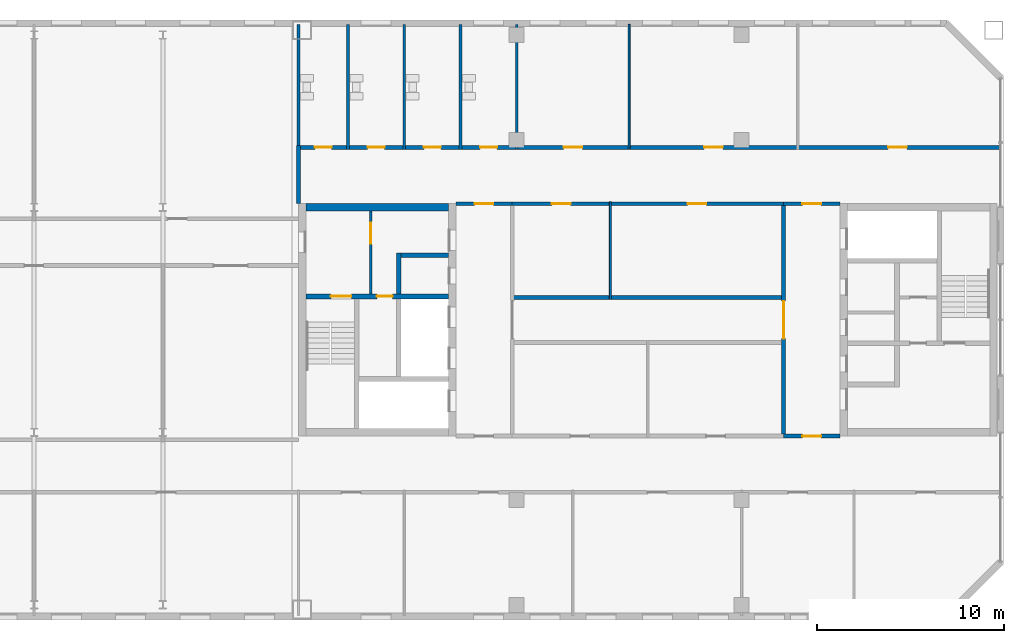
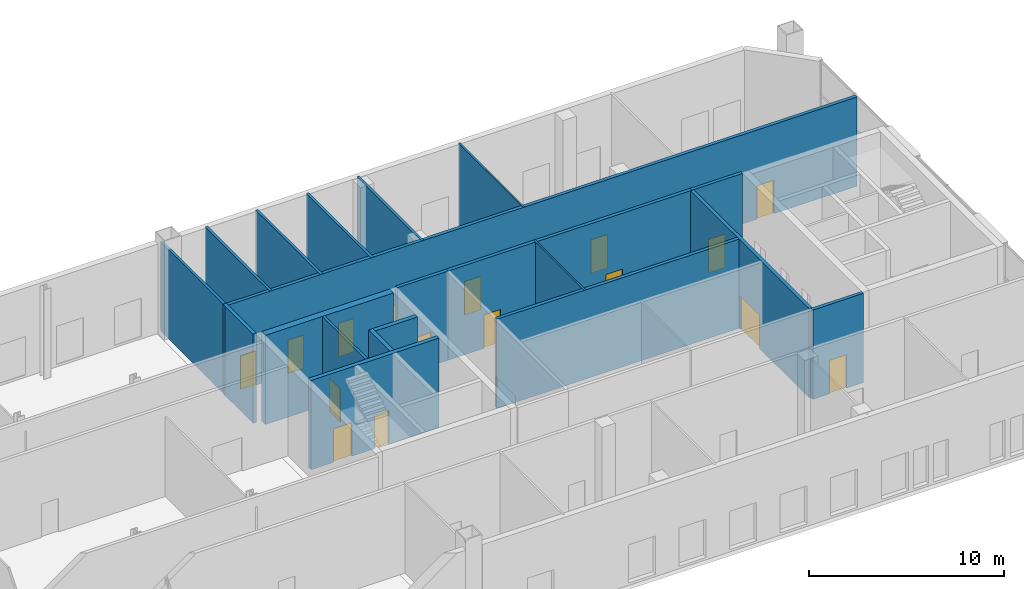
# One storey, part 15 of 20: 20 walls, 16 doors, 16 openings.
"""IFC4 building model written with IfcOpenShell, lengths in metres."""

from ifc_helpers import new_model, si_unit, direction, frame, frame_2d, origin, place, context, subcontext, project, spatial, rectangle, extrude, material, layer, layer_set, type_object, element, fill, save


model = new_model("IFC4")

# Units and contexts
model_context = context("Model", 3, precision=1e-05, world=origin(), true_north=direction((0.0, 1.0)))
body_context = subcontext(model_context, "Body", "Model", "MODEL_VIEW")
ifc_project = project(units=[si_unit("LENGTHUNIT", "METRE"), si_unit("AREAUNIT", "SQUARE_METRE"), si_unit("VOLUMEUNIT", "CUBIC_METRE"), si_unit("PLANEANGLEUNIT", "RADIAN"), si_unit("MASSUNIT", "GRAM", prefix="KILO")], contexts=[model_context])

# Site, building, storey
site_placement = place(None, origin())
site = spatial("IfcSite", under=ifc_project, at=site_placement, CompositionType="ELEMENT")
building_placement = place(site_placement, origin())
building = spatial("IfcBuilding", under=site, at=building_placement, Name="Tuart Gate Housing", CompositionType="ELEMENT")
storey_placement = place(building_placement, frame((0.0, 0.0, 215.199951171875)))
storey = spatial("IfcBuildingStorey", under=building, at=storey_placement, Name="L61", CompositionType="ELEMENT", Elevation=215.199951171875)

# Walls
ifc_material_1 = material(Name="Gypsum board on steel studs", Category="steel")
ifc_layer_1 = layer(ifc_material_1, 0.14990234375)
ifc_layer_set_1 = layer_set([ifc_layer_1], Name="Bathroom wall 150")
wall_type_1 = type_object("IfcWallType", Name="Bathroom wall 150", PredefinedType="PLUMBINGWALL", material=ifc_layer_set_1)
for number, where, z_axis, x_axis, name in (
    (1, (131.360107421875, 79.10009765625, 0.0), (0.0, 0.0, 1.0), (0.0, 1.0, 0.0), "Bathroom wall 150"),
    (2, (134.0, 79.10009765625, 0.0), (0.0, 0.0, 1.0), (0.0, 1.0, 0.0), "Bathroom wall 150"),
    (3, (137.0, 79.10009765625, 0.0), (0.0, 0.0, 1.0), (0.0, 1.0, 0.0), "Bathroom wall 150"),
    (4, (140.0, 79.10009765625, 0.0), (0.0, 0.0, 1.0), (0.0, 1.0, 0.0), "Bathroom wall 150"),
    (5, (143.0, 79.10009765625, 0.0), (0.0, 0.0, 1.0), (0.0, 1.0, 0.0), "Bathroom wall 150"),
):
    element("IfcWall", number, at=place(storey_placement, frame(where, z_axis=z_axis, x_axis=x_axis)), inside=storey, type_object=wall_type_1, Name=name, PredefinedType="PLUMBINGWALL", context=body_context, shape_type="SweptSolid", body=[
        extrude(rectangle(XDim=6.659912109375, YDim=0.14990234375, at=frame_2d((3.330078125, 0.0))), origin(), (0.0, 0.0, 1.0), 5.60009765625),
    ])

# Wall, opening, door
ifc_material_2 = material(Name="Plasterboard partition")
ifc_layer_2 = layer(ifc_material_2, 0.14990234375)
ifc_layer_set_2 = layer_set([ifc_layer_2], Name="Core partition 150")
wall_type_2 = type_object("IfcWallType", Name="Core partition 150", PredefinedType="PARTITIONING", material=ifc_layer_set_2)
wall_1_placement = place(storey_placement, frame((135.2099609375, 71.375, 0.0), z_axis=(0.0, 0.0, 1.0), x_axis=(0.0, 1.0, 0.0)))
wall_1 = element("IfcWall", 6, at=wall_1_placement, inside=storey, type_object=wall_type_2, Name="Core partition BG.6", PredefinedType="PARTITIONING", context=body_context, shape_type="SweptSolid", body=[
    extrude(rectangle(XDim=4.425048828125, YDim=0.14990234375, at=frame_2d((2.21240234375, 0.0))), origin(), (0.0, 0.0, 1.0), 5.60009765625),
])
opening_1_placement = place(wall_1_placement, frame((2.699951171875, 0.0, 0.0)))
opening_1 = element("IfcOpeningElement", 7, at=opening_1_placement, cuts=wall_1, Name="Opening D3068", PredefinedType="OPENING", context=body_context, shape_type="SweptSolid", body=[
    extrude(rectangle(XDim=1.10009765625, YDim=2.10009765625, at=frame_2d((0.550048828125, 1.050048828125))), frame((0.0, 0.0849609375, 0.0), z_axis=(0.0, -1.0, 0.0), x_axis=(1.0, 0.0, 0.0)), (0.0, 0.0, 1.0), 0.169921875),
])
ifc_material_3 = material(Name="Steel fire door", Category="steel")
door_type_1 = type_object("IfcDoorType", Name="Lobby door 1100 x 2100 RH", OperationType="SINGLE_SWING_RIGHT", PredefinedType="DOOR", material=ifc_material_3)
door_1_placement = place(opening_1_placement, origin())
door_1 = element("IfcDoor", 8, at=door_1_placement, inside=storey, type_object=door_type_1, Name="Smoke lobby door BG.KD", OperationType="SINGLE_SWING_RIGHT", OverallHeight=2.10009765625, OverallWidth=1.10009765625, PredefinedType="DOOR", context=body_context, shape_type="SweptSolid", body=[
    extrude(rectangle(XDim=1.10009765625, YDim=2.10009765625, at=frame_2d((0.550048828125, 1.050048828125))), frame((0.0, 0.02490234375, 0.0), z_axis=(0.0, -1.0, 0.0), x_axis=(1.0, 0.0, 0.0)), (0.0, 0.0, 1.0), 0.050048828125),
])
fill(opening_1, door_1)

# Wall, openings, doors
ifc_material_4 = material(Name="Concrete C40", Category="concrete")
ifc_layer_3 = layer(ifc_material_4, 0.25)
ifc_layer_set_3 = layer_set([ifc_layer_3], Name="Core wall 250 C40")
wall_type_3 = type_object("IfcWallType", Name="Core wall 250 C40", PredefinedType="SHEAR", material=ifc_layer_set_3)
wall_2_placement = place(storey_placement, frame((139.360107421875, 71.25, 0.0), z_axis=(0.0, 0.0, 1.0), x_axis=(-1.0, 0.0, 0.0)))
wall_2 = element("IfcWall", 9, at=wall_2_placement, inside=storey, type_object=wall_type_3, Name="Core wall BG.2", PredefinedType="SHEAR", context=body_context, shape_type="SweptSolid", body=[
    extrude(rectangle(XDim=7.60009765625, YDim=0.25, at=frame_2d((3.800048828125, 0.0))), origin(), (0.0, 0.0, 1.0), 5.60009765625),
])
opening_2_placement = place(wall_2_placement, frame((5.175048828125, 0.0, 0.0)))
opening_2 = element("IfcOpeningElement", 10, at=opening_2_placement, cuts=wall_2, Name="Opening D3070", PredefinedType="OPENING", context=body_context, shape_type="SweptSolid", body=[
    extrude(rectangle(XDim=1.10009765625, YDim=2.10009765625, at=frame_2d((0.550048828125, 1.050048828125))), frame((0.0, 0.135009765625, 0.0), z_axis=(0.0, -1.0, 0.0), x_axis=(1.0, 0.0, 0.0)), (0.0, 0.0, 1.0), 0.27001953125),
])
opening_3_placement = place(wall_2_placement, frame((2.97509765625, 0.0, 0.0)))
opening_3 = element("IfcOpeningElement", 11, at=opening_3_placement, cuts=wall_2, Name="Opening D3069", PredefinedType="OPENING", context=body_context, shape_type="SweptSolid", body=[
    extrude(rectangle(XDim=0.85009765625, YDim=2.10009765625, at=frame_2d((0.425048828125, 1.050048828125))), frame((0.0, 0.135009765625, 0.0), z_axis=(0.0, -1.0, 0.0), x_axis=(1.0, 0.0, 0.0)), (0.0, 0.0, 1.0), 0.27001953125),
])
ifc_material_5 = material(Name="Steel fire door", Category="steel")
door_type_2 = type_object("IfcDoorType", Name="Riser door 850 x 2100", OperationType="SINGLE_SWING_LEFT", PredefinedType="DOOR", material=ifc_material_5)
door_2_placement = place(opening_3_placement, origin())
door_2 = element("IfcDoor", 12, at=door_2_placement, inside=storey, type_object=door_type_2, Name="Service room door BG.W1", OperationType="SINGLE_SWING_LEFT", OverallHeight=2.10009765625, OverallWidth=0.85009765625, PredefinedType="DOOR", context=body_context, shape_type="SweptSolid", body=[
    extrude(rectangle(XDim=0.85009765625, YDim=2.10009765625, at=frame_2d((0.425048828125, 1.050048828125))), frame((0.0, 0.02490234375, 0.0), z_axis=(0.0, -1.0, 0.0), x_axis=(1.0, 0.0, 0.0)), (0.0, 0.0, 1.0), 0.050048828125),
])
fill(opening_3, door_2)
ifc_material_6 = material(Name="Steel fire door", Category="steel")
door_type_3 = type_object("IfcDoorType", Name="Stair door 1100 x 2100", OperationType="SINGLE_SWING_LEFT", PredefinedType="DOOR", material=ifc_material_6)
door_3_placement = place(opening_2_placement, origin())
door_3 = element("IfcDoor", 13, at=door_3_placement, inside=storey, type_object=door_type_3, Name="Stair door BG.SD", OperationType="SINGLE_SWING_LEFT", OverallHeight=2.10009765625, OverallWidth=1.10009765625, PredefinedType="DOOR", context=body_context, shape_type="SweptSolid", body=[
    extrude(rectangle(XDim=1.10009765625, YDim=2.10009765625, at=frame_2d((0.550048828125, 1.050048828125))), frame((0.0, 0.02490234375, 0.0), z_axis=(0.0, -1.0, 0.0), x_axis=(1.0, 0.0, 0.0)), (0.0, 0.0, 1.0), 0.050048828125),
])
fill(opening_2, door_3)

# Walls
wall_3_placement = place(storey_placement, frame((139.360107421875, 73.449951171875, 0.0), z_axis=(0.0, 0.0, 1.0), x_axis=(-1.0, 0.0, 0.0)))
element("IfcWall", 14, at=wall_3_placement, inside=storey, type_object=wall_type_3, Name="Core wall BG.3", PredefinedType="SHEAR", context=body_context, shape_type="SweptSolid", body=[
    extrude(rectangle(XDim=2.525146484375, YDim=0.25, at=frame_2d((1.2626953125, 0.0))), origin(), (0.0, 0.0, 1.0), 5.60009765625),
])
wall_4_placement = place(storey_placement, frame((136.7099609375, 71.375, 0.0), z_axis=(0.0, 0.0, 1.0), x_axis=(0.0, 1.0, 0.0)))
element("IfcWall", 15, at=wall_4_placement, inside=storey, type_object=wall_type_3, Name="Core wall BG.5", PredefinedType="SHEAR", context=body_context, shape_type="SweptSolid", body=[
    extrude(rectangle(XDim=2.199951171875, YDim=0.25, at=frame_2d((1.10009765625, 0.0))), origin(), (0.0, 0.0, 1.0), 5.60009765625),
])
ifc_material_7 = material(Name="Concrete C40", Category="concrete")
ifc_layer_4 = layer(ifc_material_7, 0.39990234375)
ifc_layer_set_4 = layer_set([ifc_layer_4], Name="Core wall 400 C40")
wall_type_4 = type_object("IfcWallType", Name="Core wall 400 C40", PredefinedType="SHEAR", material=ifc_layer_set_4)
wall_5_placement = place(storey_placement, frame((139.360107421875, 76.0, 0.0), z_axis=(0.0, 0.0, 1.0), x_axis=(-1.0, 0.0, 0.0)))
element("IfcWall", 16, at=wall_5_placement, inside=storey, type_object=wall_type_4, Name="Core wall BG north", PredefinedType="SHEAR", context=body_context, shape_type="SweptSolid", body=[
    extrude(rectangle(XDim=7.60009765625, YDim=0.39990234375, at=frame_2d((3.800048828125, 0.0))), origin(), (0.0, 0.0, 1.0), 5.60009765625),
])
ifc_material_8 = material(Name="Concrete masonry 15 MPa", Category="masonry")
ifc_layer_5 = layer(ifc_material_8, 0.199951171875)
ifc_layer_set_5 = layer_set([ifc_layer_5], Name="Corridor wall masonry 200")
wall_type_5 = type_object("IfcWallType", Name="Corridor wall masonry 200", PredefinedType="PARTITIONING", material=ifc_layer_set_5)
wall_6_placement = place(storey_placement, frame((142.760009765625, 71.199951171875, 0.0), z_axis=(0.0, 0.0, 1.0), x_axis=(1.0, 0.0, 0.0)))
element("IfcWall", 17, at=wall_6_placement, inside=storey, type_object=wall_type_5, Name="Corridor wall masonry 200", PredefinedType="PARTITIONING", context=body_context, shape_type="SweptSolid", body=[
    extrude(rectangle(XDim=14.47998046875, YDim=0.199951171875, at=frame_2d((7.239990234375, 0.0))), origin(), (0.0, 0.0, 1.0), 5.60009765625),
])

# Wall, openings, doors
wall_7_placement = place(storey_placement, frame((142.760009765625, 76.199951171875, 0.0), z_axis=(0.0, 0.0, 1.0), x_axis=(1.0, 0.0, 0.0)))
wall_7 = element("IfcWall", 18, at=wall_7_placement, inside=storey, type_object=wall_type_5, Name="Corridor wall masonry 200", PredefinedType="PARTITIONING", context=body_context, shape_type="SweptSolid", body=[
    extrude(rectangle(XDim=14.47998046875, YDim=0.199951171875, at=frame_2d((7.239990234375, 0.0))), origin(), (0.0, 0.0, 1.0), 5.60009765625),
])
opening_4_placement = place(wall_7_placement, frame((2.1201171875, 0.0, 0.0)))
opening_4 = element("IfcOpeningElement", 19, at=opening_4_placement, cuts=wall_7, Name="Opening D3065", PredefinedType="OPENING", context=body_context, shape_type="SweptSolid", body=[
    extrude(rectangle(XDim=1.0, YDim=2.10009765625, at=frame_2d((0.5, 1.050048828125))), frame((0.0, 0.10986328125, 0.0), z_axis=(0.0, -1.0, 0.0), x_axis=(1.0, 0.0, 0.0)), (0.0, 0.0, 1.0), 0.219970703125),
])
opening_5_placement = place(wall_7_placement, frame((9.360107421875, 0.0, 0.0)))
opening_5 = element("IfcOpeningElement", 20, at=opening_5_placement, cuts=wall_7, Name="Opening D3066", PredefinedType="OPENING", context=body_context, shape_type="SweptSolid", body=[
    extrude(rectangle(XDim=1.0, YDim=2.10009765625, at=frame_2d((0.5, 1.050048828125))), frame((0.0, 0.10986328125, 0.0), z_axis=(0.0, -1.0, 0.0), x_axis=(1.0, 0.0, 0.0)), (0.0, 0.0, 1.0), 0.219970703125),
])
ifc_material_9 = material(Name="Timber door leaf in steel frame", Category="steel")
door_type_4 = type_object("IfcDoorType", Name="Fire door 1000 RH", OperationType="SINGLE_SWING_RIGHT", PredefinedType="DOOR", material=ifc_material_9)
door_4_placement = place(opening_4_placement, frame((1.0, 0.0, 0.0), z_axis=(0.0, 0.0, 1.0), x_axis=(-1.0, 0.0, 0.0)))
door_4 = element("IfcDoor", 21, at=door_4_placement, inside=storey, type_object=door_type_4, Name="Fire door 1000", OperationType="SINGLE_SWING_RIGHT", OverallHeight=2.10009765625, OverallWidth=1.0, PredefinedType="DOOR", context=body_context, shape_type="SweptSolid", body=[
    extrude(rectangle(XDim=1.0, YDim=2.10009765625, at=frame_2d((0.5, 1.050048828125))), frame((0.0, 0.025146484375, 0.0), z_axis=(0.0, -1.0, 0.0), x_axis=(1.0, 0.0, 0.0)), (0.0, 0.0, 1.0), 0.050048828125),
])
fill(opening_4, door_4)
door_5_placement = place(opening_5_placement, frame((1.0, 0.0, 0.0), z_axis=(0.0, 0.0, 1.0), x_axis=(-1.0, 0.0, 0.0)))
door_5 = element("IfcDoor", 22, at=door_5_placement, inside=storey, type_object=door_type_4, Name="Fire door 1000", OperationType="SINGLE_SWING_RIGHT", OverallHeight=2.10009765625, OverallWidth=1.0, PredefinedType="DOOR", context=body_context, shape_type="SweptSolid", body=[
    extrude(rectangle(XDim=1.0, YDim=2.10009765625, at=frame_2d((0.5, 1.050048828125))), frame((0.0, 0.025146484375, 0.0), z_axis=(0.0, -1.0, 0.0), x_axis=(1.0, 0.0, 0.0)), (0.0, 0.0, 1.0), 0.050048828125),
])
fill(opening_5, door_5)

wall_8_placement = place(storey_placement, frame((131.260009765625, 79.199951171875, 0.0), z_axis=(0.0, 0.0, 1.0), x_axis=(1.0, 0.0, 0.0)))
wall_8 = element("IfcWall", 23, at=wall_8_placement, inside=storey, type_object=wall_type_5, Name="Corridor wall masonry 200", PredefinedType="PARTITIONING", context=body_context, shape_type="SweptSolid", body=[
    extrude(rectangle(XDim=37.5, YDim=0.199951171875, at=frame_2d((18.75, 0.0))), origin(), (0.0, 0.0, 1.0), 5.60009765625),
])
opening_6_placement = place(wall_8_placement, frame((0.969970703125, 0.0, 0.0)))
opening_6 = element("IfcOpeningElement", 24, at=opening_6_placement, cuts=wall_8, Name="Opening D3060", PredefinedType="OPENING", context=body_context, shape_type="SweptSolid", body=[
    extrude(rectangle(XDim=0.89990234375, YDim=2.10009765625, at=frame_2d((0.449951171875, 1.050048828125))), frame((0.0, 0.10986328125, 0.0), z_axis=(0.0, -1.0, 0.0), x_axis=(1.0, 0.0, 0.0)), (0.0, 0.0, 1.0), 0.219970703125),
])
opening_7_placement = place(wall_8_placement, frame((3.7900390625, 0.0, 0.0)))
opening_7 = element("IfcOpeningElement", 25, at=opening_7_placement, cuts=wall_8, Name="Opening D3061", PredefinedType="OPENING", context=body_context, shape_type="SweptSolid", body=[
    extrude(rectangle(XDim=0.89990234375, YDim=2.10009765625, at=frame_2d((0.449951171875, 1.050048828125))), frame((0.0, 0.10986328125, 0.0), z_axis=(0.0, -1.0, 0.0), x_axis=(1.0, 0.0, 0.0)), (0.0, 0.0, 1.0), 0.219970703125),
])
opening_8_placement = place(wall_8_placement, frame((6.7900390625, 0.0, 0.0)))
opening_8 = element("IfcOpeningElement", 26, at=opening_8_placement, cuts=wall_8, Name="Opening D3062", PredefinedType="OPENING", context=body_context, shape_type="SweptSolid", body=[
    extrude(rectangle(XDim=0.89990234375, YDim=2.10009765625, at=frame_2d((0.449951171875, 1.050048828125))), frame((0.0, 0.10986328125, 0.0), z_axis=(0.0, -1.0, 0.0), x_axis=(1.0, 0.0, 0.0)), (0.0, 0.0, 1.0), 0.219970703125),
])
opening_9_placement = place(wall_8_placement, frame((9.7900390625, 0.0, 0.0)))
opening_9 = element("IfcOpeningElement", 27, at=opening_9_placement, cuts=wall_8, Name="Opening D3063", PredefinedType="OPENING", context=body_context, shape_type="SweptSolid", body=[
    extrude(rectangle(XDim=0.89990234375, YDim=2.10009765625, at=frame_2d((0.449951171875, 1.050048828125))), frame((0.0, 0.10986328125, 0.0), z_axis=(0.0, -1.0, 0.0), x_axis=(1.0, 0.0, 0.0)), (0.0, 0.0, 1.0), 0.219970703125),
])
opening_10_placement = place(wall_8_placement, frame((14.239990234375, 0.0, 0.0)))
opening_10 = element("IfcOpeningElement", 28, at=opening_10_placement, cuts=wall_8, Name="Opening D3057", PredefinedType="OPENING", context=body_context, shape_type="SweptSolid", body=[
    extrude(rectangle(XDim=1.0, YDim=2.10009765625, at=frame_2d((0.5, 1.050048828125))), frame((0.0, 0.10986328125, 0.0), z_axis=(0.0, -1.0, 0.0), x_axis=(1.0, 0.0, 0.0)), (0.0, 0.0, 1.0), 0.219970703125),
])
opening_11_placement = place(wall_8_placement, frame((21.739990234375, 0.0, 0.0)))
opening_11 = element("IfcOpeningElement", 29, at=opening_11_placement, cuts=wall_8, Name="Opening D3058", PredefinedType="OPENING", context=body_context, shape_type="SweptSolid", body=[
    extrude(rectangle(XDim=1.0, YDim=2.10009765625, at=frame_2d((0.5, 1.050048828125))), frame((0.0, 0.10986328125, 0.0), z_axis=(0.0, -1.0, 0.0), x_axis=(1.0, 0.0, 0.0)), (0.0, 0.0, 1.0), 0.219970703125),
])
opening_12_placement = place(wall_8_placement, frame((31.56005859375, 0.0, 0.0)))
opening_12 = element("IfcOpeningElement", 30, at=opening_12_placement, cuts=wall_8, Name="Opening D3059", PredefinedType="OPENING", context=body_context, shape_type="SweptSolid", body=[
    extrude(rectangle(XDim=1.0, YDim=2.10009765625, at=frame_2d((0.5, 1.050048828125))), frame((0.0, 0.10986328125, 0.0), z_axis=(0.0, -1.0, 0.0), x_axis=(1.0, 0.0, 0.0)), (0.0, 0.0, 1.0), 0.219970703125),
])
ifc_material_10 = material(Name="Timber door leaf in steel frame", Category="steel")
door_type_5 = type_object("IfcDoorType", Name="Fire door 1000", OperationType="SINGLE_SWING_LEFT", PredefinedType="DOOR", material=ifc_material_10)
door_6_placement = place(opening_10_placement, origin())
door_6 = element("IfcDoor", 31, at=door_6_placement, inside=storey, type_object=door_type_5, Name="Fire door 1000", OperationType="SINGLE_SWING_LEFT", OverallHeight=2.10009765625, OverallWidth=1.0, PredefinedType="DOOR", context=body_context, shape_type="SweptSolid", body=[
    extrude(rectangle(XDim=1.0, YDim=2.10009765625, at=frame_2d((0.5, 1.050048828125))), frame((0.0, 0.02490234375, 0.0), z_axis=(0.0, -1.0, 0.0), x_axis=(1.0, 0.0, 0.0)), (0.0, 0.0, 1.0), 0.050048828125),
])
fill(opening_10, door_6)
door_7_placement = place(opening_11_placement, origin())
door_7 = element("IfcDoor", 32, at=door_7_placement, inside=storey, type_object=door_type_5, Name="Fire door 1000", OperationType="SINGLE_SWING_LEFT", OverallHeight=2.10009765625, OverallWidth=1.0, PredefinedType="DOOR", context=body_context, shape_type="SweptSolid", body=[
    extrude(rectangle(XDim=1.0, YDim=2.10009765625, at=frame_2d((0.5, 1.050048828125))), frame((0.0, 0.02490234375, 0.0), z_axis=(0.0, -1.0, 0.0), x_axis=(1.0, 0.0, 0.0)), (0.0, 0.0, 1.0), 0.050048828125),
])
fill(opening_11, door_7)
door_8_placement = place(opening_12_placement, origin())
door_8 = element("IfcDoor", 33, at=door_8_placement, inside=storey, type_object=door_type_5, Name="Fire door 1000", OperationType="SINGLE_SWING_LEFT", OverallHeight=2.10009765625, OverallWidth=1.0, PredefinedType="DOOR", context=body_context, shape_type="SweptSolid", body=[
    extrude(rectangle(XDim=1.0, YDim=2.10009765625, at=frame_2d((0.5, 1.050048828125))), frame((0.0, 0.02490234375, 0.0), z_axis=(0.0, -1.0, 0.0), x_axis=(1.0, 0.0, 0.0)), (0.0, 0.0, 1.0), 0.050048828125),
])
fill(opening_12, door_8)
ifc_material_11 = material(Name="Timber door leaf in steel frame", Category="steel")
door_type_6 = type_object("IfcDoorType", Name="Fire door 900", OperationType="SINGLE_SWING_LEFT", PredefinedType="DOOR", material=ifc_material_11)
door_9_placement = place(opening_6_placement, origin())
door_9 = element("IfcDoor", 34, at=door_9_placement, inside=storey, type_object=door_type_6, Name="Fire door 900", OperationType="SINGLE_SWING_LEFT", OverallHeight=2.10009765625, OverallWidth=0.89990234375, PredefinedType="DOOR", context=body_context, shape_type="SweptSolid", body=[
    extrude(rectangle(XDim=0.89990234375, YDim=2.10009765625, at=frame_2d((0.449951171875, 1.050048828125))), frame((0.0, 0.02490234375, 0.0), z_axis=(0.0, -1.0, 0.0), x_axis=(1.0, 0.0, 0.0)), (0.0, 0.0, 1.0), 0.050048828125),
])
fill(opening_6, door_9)
door_10_placement = place(opening_7_placement, origin())
door_10 = element("IfcDoor", 35, at=door_10_placement, inside=storey, type_object=door_type_6, Name="Fire door 900", OperationType="SINGLE_SWING_LEFT", OverallHeight=2.10009765625, OverallWidth=0.89990234375, PredefinedType="DOOR", context=body_context, shape_type="SweptSolid", body=[
    extrude(rectangle(XDim=0.89990234375, YDim=2.10009765625, at=frame_2d((0.449951171875, 1.050048828125))), frame((0.0, 0.02490234375, 0.0), z_axis=(0.0, -1.0, 0.0), x_axis=(1.0, 0.0, 0.0)), (0.0, 0.0, 1.0), 0.050048828125),
])
fill(opening_7, door_10)
door_11_placement = place(opening_8_placement, origin())
door_11 = element("IfcDoor", 36, at=door_11_placement, inside=storey, type_object=door_type_6, Name="Fire door 900", OperationType="SINGLE_SWING_LEFT", OverallHeight=2.10009765625, OverallWidth=0.89990234375, PredefinedType="DOOR", context=body_context, shape_type="SweptSolid", body=[
    extrude(rectangle(XDim=0.89990234375, YDim=2.10009765625, at=frame_2d((0.449951171875, 1.050048828125))), frame((0.0, 0.02490234375, 0.0), z_axis=(0.0, -1.0, 0.0), x_axis=(1.0, 0.0, 0.0)), (0.0, 0.0, 1.0), 0.050048828125),
])
fill(opening_8, door_11)
door_12_placement = place(opening_9_placement, origin())
door_12 = element("IfcDoor", 37, at=door_12_placement, inside=storey, type_object=door_type_6, Name="Fire door 900", OperationType="SINGLE_SWING_LEFT", OverallHeight=2.10009765625, OverallWidth=0.89990234375, PredefinedType="DOOR", context=body_context, shape_type="SweptSolid", body=[
    extrude(rectangle(XDim=0.89990234375, YDim=2.10009765625, at=frame_2d((0.449951171875, 1.050048828125))), frame((0.0, 0.02490234375, 0.0), z_axis=(0.0, -1.0, 0.0), x_axis=(1.0, 0.0, 0.0)), (0.0, 0.0, 1.0), 0.050048828125),
])
fill(opening_9, door_12)

# Wall
wall_9_placement = place(storey_placement, frame((131.360107421875, 76.199951171875, 0.0), z_axis=(0.0, 0.0, 1.0), x_axis=(0.0, 1.0, 0.0)))
element("IfcWall", 38, at=wall_9_placement, inside=storey, type_object=wall_type_5, Name="Corridor wall masonry 200", PredefinedType="PARTITIONING", context=body_context, shape_type="SweptSolid", body=[
    extrude(rectangle(XDim=3.10009765625, YDim=0.199951171875, at=frame_2d((1.550048828125, 0.0))), origin(), (0.0, 0.0, 1.0), 5.60009765625),
])

# Wall, opening, door
ifc_material_12 = material(Name="Concrete masonry 15 MPa", Category="masonry")
ifc_layer_6 = layer(ifc_material_12, 0.199951171875)
ifc_layer_set_6 = layer_set([ifc_layer_6], Name="Enclosure wall masonry 200")
wall_type_6 = type_object("IfcWallType", Name="Enclosure wall masonry 200", PredefinedType="PARTITIONING", material=ifc_layer_set_6)
wall_10_placement = place(storey_placement, frame((157.239990234375, 63.800048828125, 0.0), z_axis=(0.0, 0.0, 1.0), x_axis=(1.0, 0.0, 0.0)))
wall_10 = element("IfcWall", 39, at=wall_10_placement, inside=storey, type_object=wall_type_6, Name="Enclosure wall masonry 200", PredefinedType="PARTITIONING", context=body_context, shape_type="SweptSolid", body=[
    extrude(rectangle(XDim=3.0, YDim=0.199951171875, at=frame_2d((1.5, 0.0))), origin(), (0.0, 0.0, 1.0), 5.60009765625),
])
opening_13_placement = place(wall_10_placement, frame((1.0, 0.0, 0.0)))
opening_13 = element("IfcOpeningElement", 40, at=opening_13_placement, cuts=wall_10, Name="Opening D3086", PredefinedType="OPENING", context=body_context, shape_type="SweptSolid", body=[
    extrude(rectangle(XDim=1.0, YDim=2.10009765625, at=frame_2d((0.5, 1.050048828125))), frame((0.0, 0.10986328125, 0.0), z_axis=(0.0, -1.0, 0.0), x_axis=(1.0, 0.0, 0.0)), (0.0, 0.0, 1.0), 0.219970703125),
])
ifc_material_13 = material(Name="Timber door leaf in steel frame", Category="steel")
door_type_7 = type_object("IfcDoorType", Name="Lobby door 1000", OperationType="SINGLE_SWING_LEFT", PredefinedType="DOOR", material=ifc_material_13)
door_13_placement = place(opening_13_placement, origin())
door_13 = element("IfcDoor", 41, at=door_13_placement, inside=storey, type_object=door_type_7, Name="Lobby door 1000", OperationType="SINGLE_SWING_LEFT", OverallHeight=2.10009765625, OverallWidth=1.0, PredefinedType="DOOR", context=body_context, shape_type="SweptSolid", body=[
    extrude(rectangle(XDim=1.0, YDim=2.10009765625, at=frame_2d((0.5, 1.050048828125))), frame((0.0, 0.02490234375, 0.0), z_axis=(0.0, -1.0, 0.0), x_axis=(1.0, 0.0, 0.0)), (0.0, 0.0, 1.0), 0.050048828125),
])
fill(opening_13, door_13)

wall_11_placement = place(storey_placement, frame((139.760009765625, 76.199951171875, 0.0), z_axis=(0.0, 0.0, 1.0), x_axis=(1.0, 0.0, 0.0)))
wall_11 = element("IfcWall", 42, at=wall_11_placement, inside=storey, type_object=wall_type_6, Name="Enclosure wall masonry 200", PredefinedType="PARTITIONING", context=body_context, shape_type="SweptSolid", body=[
    extrude(rectangle(XDim=3.0, YDim=0.199951171875, at=frame_2d((1.5, 0.0))), origin(), (0.0, 0.0, 1.0), 5.60009765625),
])
opening_14_placement = place(wall_11_placement, frame((1.0, 0.0, 0.0)))
opening_14 = element("IfcOpeningElement", 43, at=opening_14_placement, cuts=wall_11, Name="Opening D3064", PredefinedType="OPENING", context=body_context, shape_type="SweptSolid", body=[
    extrude(rectangle(XDim=1.0, YDim=2.10009765625, at=frame_2d((0.5, 1.050048828125))), frame((0.0, 0.10986328125, 0.0), z_axis=(0.0, -1.0, 0.0), x_axis=(1.0, 0.0, 0.0)), (0.0, 0.0, 1.0), 0.219970703125),
])
door_14_placement = place(opening_14_placement, frame((1.0, 0.0, 0.0), z_axis=(0.0, 0.0, 1.0), x_axis=(-1.0, 0.0, 0.0)))
door_14 = element("IfcDoor", 44, at=door_14_placement, inside=storey, type_object=door_type_7, Name="Lobby door 1000", OperationType="SINGLE_SWING_LEFT", OverallHeight=2.10009765625, OverallWidth=1.0, PredefinedType="DOOR", context=body_context, shape_type="SweptSolid", body=[
    extrude(rectangle(XDim=1.0, YDim=2.10009765625, at=frame_2d((0.5, 1.050048828125))), frame((0.0, 0.025146484375, 0.0), z_axis=(0.0, -1.0, 0.0), x_axis=(1.0, 0.0, 0.0)), (0.0, 0.0, 1.0), 0.050048828125),
])
fill(opening_14, door_14)

wall_12_placement = place(storey_placement, frame((157.239990234375, 76.199951171875, 0.0), z_axis=(0.0, 0.0, 1.0), x_axis=(1.0, 0.0, 0.0)))
wall_12 = element("IfcWall", 45, at=wall_12_placement, inside=storey, type_object=wall_type_6, Name="Enclosure wall masonry 200", PredefinedType="PARTITIONING", context=body_context, shape_type="SweptSolid", body=[
    extrude(rectangle(XDim=3.0, YDim=0.199951171875, at=frame_2d((1.5, 0.0))), origin(), (0.0, 0.0, 1.0), 5.60009765625),
])
opening_15_placement = place(wall_12_placement, frame((1.0, 0.0, 0.0)))
opening_15 = element("IfcOpeningElement", 46, at=opening_15_placement, cuts=wall_12, Name="Opening D3067", PredefinedType="OPENING", context=body_context, shape_type="SweptSolid", body=[
    extrude(rectangle(XDim=1.0, YDim=2.10009765625, at=frame_2d((0.5, 1.050048828125))), frame((0.0, 0.10986328125, 0.0), z_axis=(0.0, -1.0, 0.0), x_axis=(1.0, 0.0, 0.0)), (0.0, 0.0, 1.0), 0.219970703125),
])
ifc_material_14 = material(Name="Timber door leaf in steel frame", Category="steel")
door_type_8 = type_object("IfcDoorType", Name="Lobby door 1000 RH", OperationType="SINGLE_SWING_RIGHT", PredefinedType="DOOR", material=ifc_material_14)
door_15_placement = place(opening_15_placement, frame((1.0, 0.0, 0.0), z_axis=(0.0, 0.0, 1.0), x_axis=(-1.0, 0.0, 0.0)))
door_15 = element("IfcDoor", 47, at=door_15_placement, inside=storey, type_object=door_type_8, Name="Lobby door 1000", OperationType="SINGLE_SWING_RIGHT", OverallHeight=2.10009765625, OverallWidth=1.0, PredefinedType="DOOR", context=body_context, shape_type="SweptSolid", body=[
    extrude(rectangle(XDim=1.0, YDim=2.10009765625, at=frame_2d((0.5, 1.050048828125))), frame((0.0, 0.025146484375, 0.0), z_axis=(0.0, -1.0, 0.0), x_axis=(1.0, 0.0, 0.0)), (0.0, 0.0, 1.0), 0.050048828125),
])
fill(opening_15, door_15)

ifc_material_15 = material(Name="Plasterboard partition")
ifc_layer_7 = layer(ifc_material_15, 0.199951171875)
ifc_layer_set_7 = layer_set([ifc_layer_7], Name="Lobby wall 200")
wall_type_7 = type_object("IfcWallType", Name="Lobby wall 200", PredefinedType="PARTITIONING", material=ifc_layer_set_7)
wall_13_placement = place(storey_placement, frame((157.239990234375, 63.89990234375, 0.0), z_axis=(0.0, 0.0, 1.0), x_axis=(0.0, 1.0, 0.0)))
wall_13 = element("IfcWall", 48, at=wall_13_placement, inside=storey, type_object=wall_type_7, Name="Lift lobby wall BK", PredefinedType="PARTITIONING", context=body_context, shape_type="SweptSolid", body=[
    extrude(rectangle(XDim=12.2001953125, YDim=0.199951171875, at=frame_2d((6.10009765625, 0.0))), origin(), (0.0, 0.0, 1.0), 5.60009765625),
])
opening_16_placement = place(wall_13_placement, frame((5.10009765625, 0.0, 0.0)))
opening_16 = element("IfcOpeningElement", 49, at=opening_16_placement, cuts=wall_13, Name="Opening D3076", PredefinedType="OPENING", context=body_context, shape_type="SweptSolid", body=[
    extrude(rectangle(XDim=2.0, YDim=2.10009765625, at=frame_2d((1.0, 1.050048828125))), frame((0.0, 0.10986328125, 0.0), z_axis=(0.0, -1.0, 0.0), x_axis=(1.0, 0.0, 0.0)), (0.0, 0.0, 1.0), 0.219970703125),
])
ifc_material_16 = material(Name="Steel fire door", Category="steel")
door_type_9 = type_object("IfcDoorType", Name="Smoke door 2000 x 2100", OperationType="DOUBLE_DOOR_SINGLE_SWING", PredefinedType="DOOR", material=ifc_material_16)
door_16_placement = place(opening_16_placement, frame((2.0, 0.0, 0.0), z_axis=(0.0, 0.0, 1.0), x_axis=(-1.0, 0.0, 0.0)))
door_16 = element("IfcDoor", 50, at=door_16_placement, inside=storey, type_object=door_type_9, Name="Lift lobby smoke door BK", OperationType="DOUBLE_DOOR_SINGLE_SWING", OverallHeight=2.10009765625, OverallWidth=2.0, PredefinedType="DOOR", context=body_context, shape_type="SweptSolid", body=[
    extrude(rectangle(XDim=2.0, YDim=2.10009765625, at=frame_2d((1.0, 1.050048828125))), frame((0.0, 0.025146484375, 0.0), z_axis=(0.0, -1.0, 0.0), x_axis=(1.0, 0.0, 0.0)), (0.0, 0.0, 1.0), 0.050048828125),
])
fill(opening_16, door_16)

# Walls
ifc_material_17 = material(Name="Gypsum board on steel studs", Category="steel")
ifc_layer_8 = layer(ifc_material_17, 0.10009765625)
ifc_layer_set_8 = layer_set([ifc_layer_8], Name="Partition 100")
wall_type_8 = type_object("IfcWallType", Name="Partition 100", PredefinedType="PARTITIONING", material=ifc_layer_set_8)
wall_14_placement = place(storey_placement, frame((148.0, 71.10009765625, 0.0), z_axis=(0.0, 0.0, 1.0), x_axis=(0.0, 1.0, 0.0)))
element("IfcWall", 51, at=wall_14_placement, inside=storey, type_object=wall_type_8, Name="Partition 100", PredefinedType="PARTITIONING", context=body_context, shape_type="SweptSolid", body=[
    extrude(rectangle(XDim=5.199951171875, YDim=0.10009765625, at=frame_2d((2.60009765625, 0.0))), origin(), (0.0, 0.0, 1.0), 5.60009765625),
])
wall_15_placement = place(storey_placement, frame((149.0, 79.10009765625, 0.0), z_axis=(0.0, 0.0, 1.0), x_axis=(0.0, 1.0, 0.0)))
element("IfcWall", 52, at=wall_15_placement, inside=storey, type_object=wall_type_8, Name="Partition 100", PredefinedType="PARTITIONING", context=body_context, shape_type="SweptSolid", body=[
    extrude(rectangle(XDim=6.659912109375, YDim=0.10009765625, at=frame_2d((3.330078125, 0.0))), origin(), (0.0, 0.0, 1.0), 5.60009765625),
])

save(model, "model.ifc")
